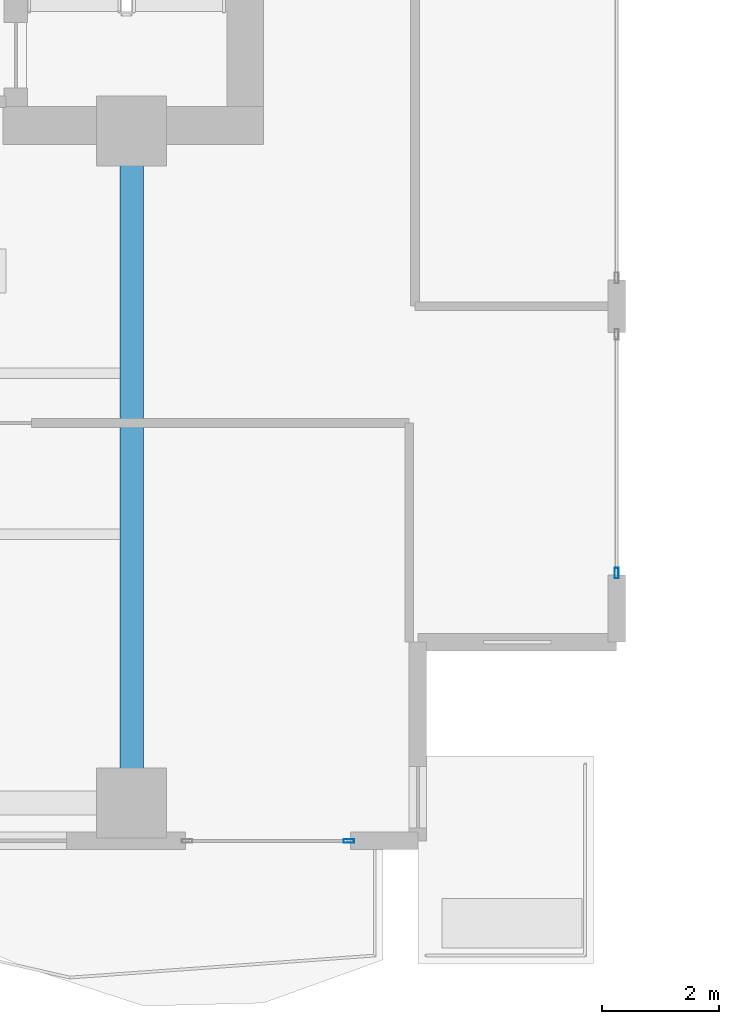
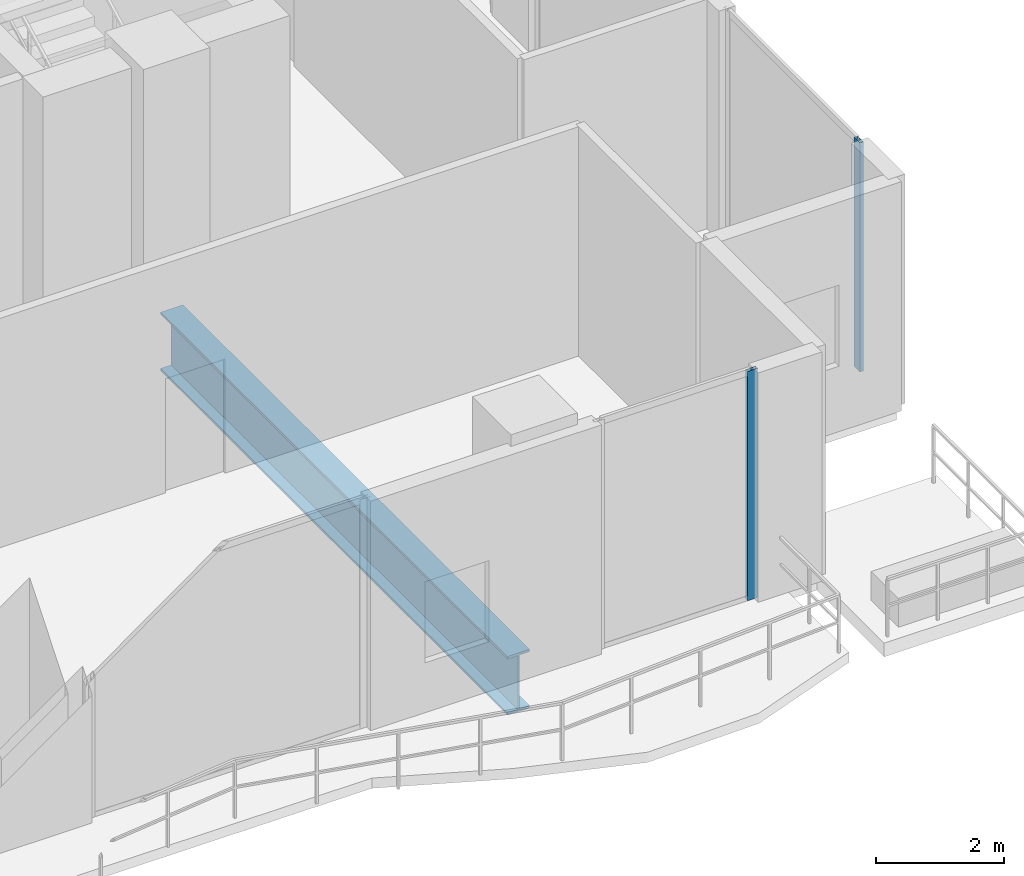
# One storey, part 11 of 33: 2 members, 1 beam, 2 elements without a shape of their own.
"""IFC4 building model written with IfcOpenShell, lengths in metres."""

from ifc_helpers import new_model, si_unit, direction, frame, origin, origin_2d, place, context, subcontext, project, spatial, hollow_rectangle, i_section, extrude, material, layer, layer_set, material_profile, profile_set, type_object, element, aggregate, save


model = new_model("IFC4")

# Units and contexts
model_context = context("Model", 3, precision=1e-05, world=origin(), true_north=direction((0.0, 1.0)))
body_context = subcontext(model_context, "Body", "Model", "MODEL_VIEW")
ifc_project = project(units=[si_unit("LENGTHUNIT", "METRE"), si_unit("AREAUNIT", "SQUARE_METRE"), si_unit("VOLUMEUNIT", "CUBIC_METRE"), si_unit("PLANEANGLEUNIT", "RADIAN"), si_unit("MASSUNIT", "GRAM", prefix="KILO")], contexts=[model_context])

# Site, building, storey
site_placement = place(None, origin())
site = spatial("IfcSite", under=ifc_project, at=site_placement, CompositionType="ELEMENT")
building_placement = place(site_placement, origin())
building = spatial("IfcBuilding", under=site, at=building_placement, Name="Zuhayl Quay Hotel", CompositionType="ELEMENT")
storey_placement = place(building_placement, frame((0.0, 0.0, 168.199951171875)))
storey = spatial("IfcBuildingStorey", under=building, at=storey_placement, Name="L42", CompositionType="ELEMENT", Elevation=168.199951171875)

# Beam
ifc_material_1 = material(Name="Steel ASTM A913 Grade 65", Category="steel")
ifc_material_profile_1 = material_profile(ifc_material_1, i_section(OverallWidth=0.404052734375, OverallDepth=1.117919921875, WebThickness=0.026123046875, FlangeThickness=0.044921875, at=origin_2d()), Name="W44X335")
ifc_profile_set_1 = profile_set([ifc_material_profile_1], Name="Steel ASTM A913 Grade 65")
beam_type = type_object("IfcBeamType", Name="BM_TG1_W44X335", PredefinedType="BEAM", material=ifc_profile_set_1)
beam_placement = place(storey_placement, frame((13.800048828125, -6.75, -0.81884765625), z_axis=(0.0, 1.0, 0.0), x_axis=(-1.0, 0.0, 0.0)))
element("IfcBeam", 1, at=beam_placement, inside=storey, type_object=beam_type, Name="L42 Floor Beam FG_S_L42_4", PredefinedType="BEAM", context=body_context, shape_type="SweptSolid", body=[
    extrude(i_section(OverallWidth=0.404052734375, OverallDepth=1.117919921875, WebThickness=0.026123046875, FlangeThickness=0.044921875, at=origin_2d()), origin(), (0.0, 0.0, 1.0), 10.85009765625),
])

# Curtain wall, member
ifc_material_2 = material(Name="Anodised Aluminium 6063-T6", Category="aluminium")
ifc_layer = layer(ifc_material_2, 0.175048828125, Name="Anodised Aluminium 6063-T6", Category="aluminium")
ifc_layer_set = layer_set([ifc_layer], Name="Anodised Aluminium 6063-T6")
curtain_wall_type = type_object("IfcCurtainWallType", Name="CW_SYS_Z3", PredefinedType="USERDEFINED", material=ifc_layer_set)
curtain_wall_1_placement = place(storey_placement, origin())
curtain_wall_1 = element("IfcCurtainWall", 2, at=curtain_wall_1_placement, inside=storey, type_object=curtain_wall_type, Name="L42 Curtain Wall ENV_L42_E14_CW2", ObjectType="UNITISED CURTAIN WALL", PredefinedType="USERDEFINED")
ifc_material_3 = material(Name="Black-anodised aluminium 6063-T6", Category="aluminium")
ifc_material_profile_2 = material_profile(ifc_material_3, hollow_rectangle(XDim=0.06494140625, YDim=0.179931640625, WallThickness=0.00341796875, at=origin_2d()), Name="ALU180X65")
ifc_profile_set_2 = profile_set([ifc_material_profile_2], Name="Black-anodised aluminium 6063-T6")
member_type = type_object("IfcMemberType", Name="MB_CW_MUL_180", PredefinedType="MULLION", material=ifc_profile_set_2)
member_1_placement = place(storey_placement, frame((22.10009765625, -3.017578125, 0.0), z_axis=(0.0, 0.0, 1.0), x_axis=(1.0, 0.0, 0.0)))
member_1 = element("IfcMember", 3, at=member_1_placement, type_object=member_type, Name="CW-Z3 mullion 2", PredefinedType="MULLION", context=body_context, shape_type="SweptSolid", body=[
    extrude(hollow_rectangle(XDim=0.06494140625, YDim=0.179931640625, WallThickness=0.00341796875, at=origin_2d()), origin(), (0.0, 0.0, 1.0), 4.380126953125),
])
aggregate(curtain_wall_1, [member_1])

curtain_wall_2_placement = place(storey_placement, origin())
curtain_wall_2 = element("IfcCurtainWall", 4, at=curtain_wall_2_placement, inside=storey, type_object=curtain_wall_type, Name="L42 Curtain Wall ENV_L42_S_CW1", ObjectType="UNITISED CURTAIN WALL", PredefinedType="USERDEFINED")
member_2_placement = place(storey_placement, frame((17.517578125, -7.60009765625, 0.0), z_axis=(0.0, 0.0, 1.0), x_axis=(0.0, -1.0, 0.0)))
member_2 = element("IfcMember", 5, at=member_2_placement, type_object=member_type, Name="CW-Z3 mullion 1", PredefinedType="MULLION", context=body_context, shape_type="SweptSolid", body=[
    extrude(hollow_rectangle(XDim=0.06494140625, YDim=0.179931640625, WallThickness=0.00341796875, at=origin_2d()), origin(), (0.0, 0.0, 1.0), 4.380126953125),
])
aggregate(curtain_wall_2, [member_2])

save(model, "model.ifc")
